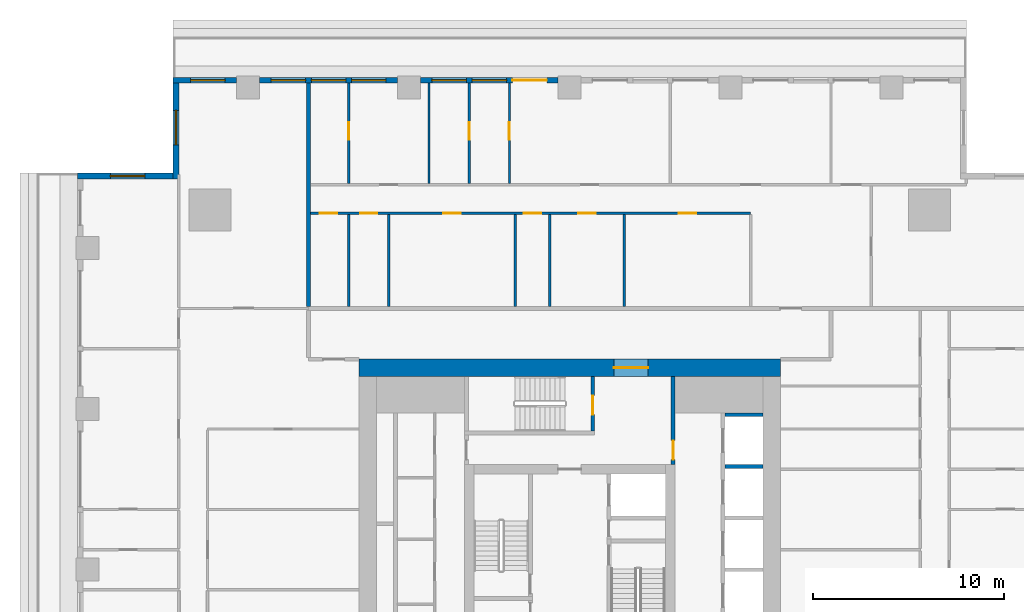
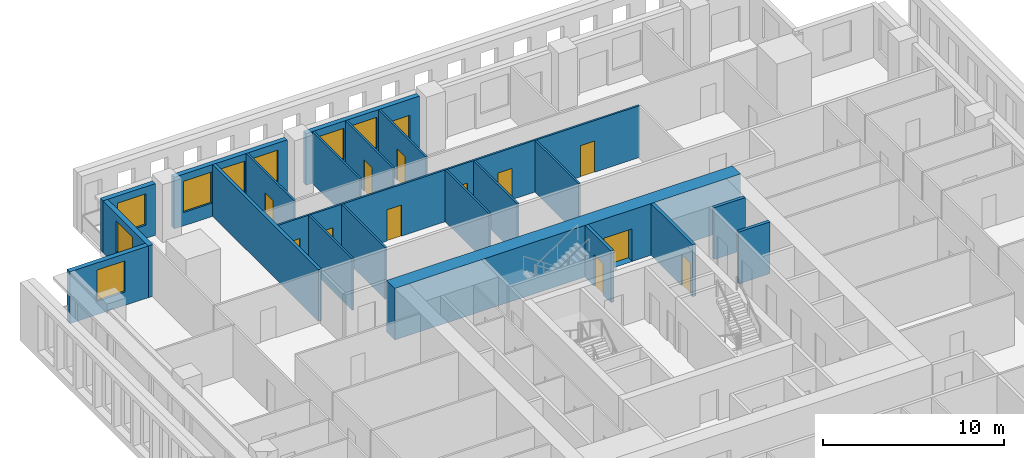
# One storey, part 7 of 14: 21 walls, 13 doors, 8 windows, 21 openings.
"""IFC4 building model written with IfcOpenShell, lengths in metres."""

import ifcopenshell
import ifcopenshell.guid

model = None  # the IFC model being written
_history = None  # IfcOwnerHistory: only IFC2X3 demands one
_inside = {}  # id of a spatial element -> (the spatial element, [elements in it])
_under = {}  # id of a project, library or spatial element -> (it, [spatial elements below it])
_declared = {}  # id of a project -> (the project, [libraries it declares])
_typed = {}  # id of a type object -> (the type object, [elements of that type])
_made_of = {}  # id of a material, layer set ... -> (it, [elements and type objects made of it])


def new_model(schema):
    """Start an empty IFC model of exactly this schema.

    Asked for "IFC4X3", IfcOpenShell would pick the latest addendum, in which some entities
    have other attributes; the version numbers below select the first issue.
    IFC2X3 requires an IfcOwnerHistory on every rooted entity: one is made here for all.
    """
    global model, _history
    if schema == "IFC4X3":
        model = ifcopenshell.file(schema_version=(4, 3, 0, 0))
    else:
        model = ifcopenshell.file(schema=schema)
    _inside.clear()
    _under.clear()
    _declared.clear()
    _typed.clear()
    _made_of.clear()
    _history = None
    if model.schema == "IFC2X3":
        org = make("IfcOrganization", Name="unknown")
        user = make(
            "IfcPersonAndOrganization",
            ThePerson=make("IfcPerson", FamilyName="unknown"),
            TheOrganization=org,
        )
        app = make(
            "IfcApplication",
            ApplicationDeveloper=org,
            Version="unknown",
            ApplicationFullName="unknown",
            ApplicationIdentifier="unknown",
        )
        _history = make(
            "IfcOwnerHistory",
            OwningUser=user,
            OwningApplication=app,
            ChangeAction="ADDED",
            CreationDate=0,
        )
    return model


def make(cls, **values):
    """One entity of the class cls with the attributes given. An attribute that is None is left unset."""
    return model.create_entity(
        cls, **{name: value for name, value in values.items() if value is not None}
    )


def rooted(cls, **values):
    """An entity with a GlobalId (a new one), such as an element, a storey or a relation."""
    return make(cls, GlobalId=ifcopenshell.guid.new(), OwnerHistory=_history, **values)


def si_unit(unit_type, name, prefix=None):
    """IfcSIUnit, for example si_unit("LENGTHUNIT", "METRE", prefix="MILLI")."""
    return make("IfcSIUnit", UnitType=unit_type, Prefix=prefix, Name=name)


def assignment(units):
    """IfcUnitAssignment: the units of a project."""
    return None if units is None else make("IfcUnitAssignment", Units=units)


def point(xyz):
    """IfcCartesianPoint."""
    return None if xyz is None else make("IfcCartesianPoint", Coordinates=xyz)


def direction(xyz):
    """IfcDirection."""
    return None if xyz is None else make("IfcDirection", DirectionRatios=xyz)


def frame(location, z_axis=None, x_axis=None):
    """IfcAxis2Placement3D, a coordinate frame: its origin and axes. An axis left out is left unset."""
    return make(
        "IfcAxis2Placement3D",
        Location=point(location),
        Axis=direction(z_axis),
        RefDirection=direction(x_axis),
    )


def frame_2d(location, x_axis=None):
    """IfcAxis2Placement2D, a coordinate frame in the plane: its origin and x axis."""
    return make(
        "IfcAxis2Placement2D", Location=point(location), RefDirection=direction(x_axis)
    )


def origin():
    """The frame at (0, 0, 0) with its axes left unset."""
    return frame((0.0, 0.0, 0.0))


def place(relative_to, where):
    """IfcLocalPlacement: puts the frame where relative to a parent placement (None: the world)."""
    return make(
        "IfcLocalPlacement", PlacementRelTo=relative_to, RelativePlacement=where
    )


def context(
    kind, dimensions, precision=None, world=None, true_north=None, identifier=None
):
    """IfcGeometricRepresentationContext, for example the 3D "Model" context."""
    return make(
        "IfcGeometricRepresentationContext",
        ContextIdentifier=identifier,
        ContextType=kind,
        CoordinateSpaceDimension=dimensions,
        Precision=precision,
        WorldCoordinateSystem=world,
        TrueNorth=true_north,
    )


def subcontext(parent, identifier, kind, view, scale=None):
    """IfcGeometricRepresentationSubContext, for example "Body" below "Model"."""
    return make(
        "IfcGeometricRepresentationSubContext",
        ContextIdentifier=identifier,
        ContextType=kind,
        ParentContext=parent,
        TargetScale=scale,
        TargetView=view,
    )


def project(units=None, contexts=None):
    """IfcProject with its units and contexts."""
    return rooted(
        "IfcProject",
        Name="project",
        RepresentationContexts=contexts,
        UnitsInContext=assignment(units),
    )


def spatial(cls, under=None, at=None, **own):
    """A site, building, storey or space (cls), placed at a placement, below another one or the project."""
    s = rooted(cls, ObjectPlacement=at, **own)
    if under is not None:
        _under.setdefault(under.id(), (under, []))[1].append(s)
    return s


def profile(cls, at=None, kind="AREA", **sizes):
    """A parametric profile (cls). Its sizes go by their IFC names, for example OverallWidth=200.0."""
    return make(cls, ProfileType=kind, Position=at, **sizes)


def rectangle(**sizes):
    """IfcRectangleProfileDef."""
    return profile("IfcRectangleProfileDef", **sizes)


def extrude(swept, where, along, depth):
    """IfcExtrudedAreaSolid: the profile swept, set in the frame where, extruded along a direction by depth."""
    return make(
        "IfcExtrudedAreaSolid",
        SweptArea=swept,
        Position=where,
        ExtrudedDirection=direction(along),
        Depth=depth,
    )


def shape(context_of_items, identifier, shape_type, items):
    """IfcShapeRepresentation: the items that make up one representation, for example the "Body"."""
    return make(
        "IfcShapeRepresentation",
        ContextOfItems=context_of_items,
        RepresentationIdentifier=identifier,
        RepresentationType=shape_type,
        Items=items,
    )


def material(Name=None, Category=None):
    """IfcMaterial."""
    return make("IfcMaterial", Name=Name, Category=Category)


def layer(
    of_material, thickness, ventilated=None, Name=None, Category=None, Priority=None
):
    """IfcMaterialLayer: one layer of a wall or slab, of a material (None: an air gap)."""
    return make(
        "IfcMaterialLayer",
        Material=of_material,
        LayerThickness=thickness,
        IsVentilated=ventilated,
        Name=Name,
        Category=Category,
        Priority=Priority,
    )


def layer_set(layers, Name=None):
    """IfcMaterialLayerSet."""
    return make("IfcMaterialLayerSet", MaterialLayers=layers, LayerSetName=Name)


def made_of(thing, what):
    """Note that an element or type object is made of a material, layer set ...; save() writes the relation."""
    if what is not None:
        _made_of.setdefault(what.id(), (what, []))[1].append(thing)
    return thing


def type_object(cls, material=None, **own):
    """A type object (cls), such as IfcWallType, which elements share."""
    return made_of(rooted(cls, **own), material)


def element(
    cls,
    number,
    at=None,
    inside=None,
    cuts=None,
    type_object=None,
    material=None,
    context=None,
    identifier="Body",
    shape_type=None,
    held_by="IfcProductDefinitionShape",
    body=None,
    shapes=None,
    **own,
):
    """One element of the class cls, such as IfcWall. Its Tag is "e" and its number.

    at: its placement. inside: the storey or other place that contains it. cuts: it is an
    opening in that element (IfcRelVoidsElement). A single representation is given by context,
    identifier, shape_type and body (its items); several are given by shapes. held_by: the class
    of the entity that holds the representations. save() writes the other relations.
    """
    e = rooted(cls, Tag="e%d" % number, ObjectPlacement=at, **own)
    if body is not None:
        shapes = [shape(context, identifier, shape_type, body)]
    if shapes is not None:
        e.Representation = make(held_by, Representations=shapes)
    if inside is not None:
        _inside.setdefault(inside.id(), (inside, []))[1].append(e)
    if cuts is not None:
        rooted(
            "IfcRelVoidsElement", RelatingBuildingElement=cuts, RelatedOpeningElement=e
        )
    if type_object is not None:
        _typed.setdefault(type_object.id(), (type_object, []))[1].append(e)
    return made_of(e, material)


def fill(opening, filler):
    """IfcRelFillsElement: the door or window that sits in an opening."""
    return rooted(
        "IfcRelFillsElement",
        RelatingOpeningElement=opening,
        RelatedBuildingElement=filler,
    )


def aggregate(whole, parts):
    """IfcRelAggregates: a whole, such as a stair, and the parts it consists of."""
    return rooted("IfcRelAggregates", RelatingObject=whole, RelatedObjects=parts)


def save(model, path):
    """Write the relations noted so far, then the file.

    IfcRelAggregates (storeys below a building ...), IfcRelContainedInSpatialStructure (elements
    in a storey), IfcRelDefinesByType, IfcRelAssociatesMaterial and IfcRelDeclares: one each for
    every whole, place, type object, material and project.
    """
    for whole, parts in _under.values():
        aggregate(whole, parts)
    for where, things in _inside.values():
        rooted(
            "IfcRelContainedInSpatialStructure",
            RelatedElements=things,
            RelatingStructure=where,
        )
    for kind, things in _typed.values():
        rooted("IfcRelDefinesByType", RelatedObjects=things, RelatingType=kind)
    for what, things in _made_of.values():
        rooted("IfcRelAssociatesMaterial", RelatedObjects=things, RelatingMaterial=what)
    for by, libraries in _declared.values():
        rooted("IfcRelDeclares", RelatingContext=by, RelatedDefinitions=libraries)
    model.write(path)


model = new_model("IFC4")

# Units and contexts
model_context = context("Model", 3, precision=1e-05, world=origin(), true_north=direction((0.0, 1.0)))
body_context = subcontext(model_context, "Body", "Model", "MODEL_VIEW")
ifc_project = project(units=[si_unit("LENGTHUNIT", "METRE"), si_unit("AREAUNIT", "SQUARE_METRE"), si_unit("VOLUMEUNIT", "CUBIC_METRE"), si_unit("PLANEANGLEUNIT", "RADIAN"), si_unit("MASSUNIT", "GRAM", prefix="KILO")], contexts=[model_context])

# Site, building, storey
site_placement = place(None, origin())
site = spatial("IfcSite", under=ifc_project, at=site_placement, CompositionType="ELEMENT")
building_placement = place(site_placement, origin())
building = spatial("IfcBuilding", under=site, at=building_placement, Name="Khepri Terraces", CompositionType="ELEMENT")
storey_placement = place(building_placement, frame((0.0, 0.0, 264.0)))
storey = spatial("IfcBuildingStorey", under=building, at=storey_placement, Name="L63", CompositionType="ELEMENT", Elevation=264.0)

# Wall, opening, door
ifc_material_1 = material(Name="Concrete C40/50", Category="concrete")
ifc_layer_1 = layer(ifc_material_1, 0.199951171875, Name="Concrete C40/50", Category="concrete")
ifc_layer_set_1 = layer_set([ifc_layer_1], Name="Concrete C40/50")
wall_type_1 = type_object("IfcWallType", Name="Core wall 200 C40/50", PredefinedType="SHEAR", material=ifc_layer_set_1)
wall_1_placement = place(storey_placement, frame((1.199951171875, 7.25, 0.0), z_axis=(0.0, 0.0, 1.0), x_axis=(0.0, 1.0, 0.0)))
wall_1 = element("IfcWall", 1, at=wall_1_placement, inside=storey, type_object=wall_type_1, Name="Core wall ST07 L63", PredefinedType="SHEAR", context=body_context, shape_type="SweptSolid", body=[
    extrude(rectangle(XDim=2.85009765625, YDim=0.199951171875, at=frame_2d((1.425048828125, 0.0))), origin(), (0.0, 0.0, 1.0), 3.47998046875),
])
opening_1_placement = place(wall_1_placement, frame((0.85009765625, 0.0, 0.0)))
opening_1 = element("IfcOpeningElement", 2, at=opening_1_placement, cuts=wall_1, Name="Opening L63-C15", PredefinedType="OPENING", context=body_context, shape_type="SweptSolid", body=[
    extrude(rectangle(XDim=1.0, YDim=2.10009765625, at=frame_2d((0.5, 1.050048828125))), frame((0.0, 0.10986328125, 0.0), z_axis=(0.0, -1.0, 0.0), x_axis=(1.0, 0.0, 0.0)), (0.0, 0.0, 1.0), 0.219970703125),
])
ifc_material_2 = material(Name="Painted steel", Category="steel")
door_type_1 = type_object("IfcDoorType", Name="DR-CORE-STAIR-1000", OperationType="NOTDEFINED", PredefinedType="DOOR", material=ifc_material_2)
door_1_placement = place(opening_1_placement, origin())
door_1 = element("IfcDoor", 3, at=door_1_placement, inside=storey, type_object=door_type_1, Name="Stair door L63-C15", OperationType="SINGLE_SWING_LEFT", OverallHeight=2.10009765625, OverallWidth=1.0, PredefinedType="DOOR", context=body_context, shape_type="SweptSolid", body=[
    extrude(rectangle(XDim=1.0, YDim=2.10009765625, at=frame_2d((0.5, 1.050048828125))), frame((0.0, 0.02490234375, 0.0), z_axis=(0.0, -1.0, 0.0), x_axis=(1.0, 0.0, 0.0)), (0.0, 0.0, 1.0), 0.050048828125),
])
fill(opening_1, door_1)

# Walls
for number, where, z_axis, x_axis, name in (
    (4, (8.10009765625, 5.39990234375, 0.0), (0.0, 0.0, 1.0), (1.0, 0.0, 0.0), "Core wall SH14 L63"),
    (5, (8.10009765625, 8.10009765625, 0.0), (0.0, 0.0, 1.0), (1.0, 0.0, 0.0), "Core wall SH15 L63"),
):
    element("IfcWall", number, at=place(storey_placement, frame(where, z_axis=z_axis, x_axis=x_axis)), inside=storey, type_object=wall_type_1, Name=name, PredefinedType="SHEAR", context=body_context, shape_type="SweptSolid", body=[
        extrude(rectangle(XDim=2.0, YDim=0.199951171875, at=frame_2d((1.0, 0.0))), origin(), (0.0, 0.0, 1.0), 3.47998046875),
    ])

# Wall, opening, door
ifc_layer_2 = layer(ifc_material_1, 0.89990234375, Name="Concrete C40/50", Category="concrete")
ifc_layer_set_2 = layer_set([ifc_layer_2], Name="Concrete C40/50")
wall_type_2 = type_object("IfcWallType", Name="Core wall 900 C40/50", PredefinedType="SHEAR", material=ifc_layer_set_2)
wall_2_placement = place(storey_placement, frame((-11.0, 10.550048828125, 0.0), z_axis=(0.0, 0.0, 1.0), x_axis=(1.0, 0.0, 0.0)))
wall_2 = element("IfcWall", 6, at=wall_2_placement, inside=storey, type_object=wall_type_2, Name="Core wall OW-N L63", PredefinedType="SHEAR", context=body_context, shape_type="SweptSolid", body=[
    extrude(rectangle(XDim=22.0, YDim=0.89990234375, at=frame_2d((11.0, 0.0))), origin(), (0.0, 0.0, 1.0), 3.47998046875),
])
opening_2_placement = place(wall_2_placement, frame((13.300048828125, 0.0, 0.0)))
opening_2 = element("IfcOpeningElement", 7, at=opening_2_placement, cuts=wall_2, Name="Opening L63-C20", PredefinedType="OPENING", context=body_context, shape_type="SweptSolid", body=[
    extrude(rectangle(XDim=1.800048828125, YDim=2.199951171875, at=frame_2d((0.89990234375, 1.10009765625))), frame((0.0, 0.4599609375, 0.0), z_axis=(0.0, -1.0, 0.0), x_axis=(1.0, 0.0, 0.0)), (0.0, 0.0, 1.0), 0.919921875),
])
door_type_2 = type_object("IfcDoorType", Name="DR-CORE-ENTRANCE-1800", OperationType="NOTDEFINED", PredefinedType="DOOR", material=ifc_material_2)
door_2_placement = place(opening_2_placement, origin())
door_2 = element("IfcDoor", 8, at=door_2_placement, inside=storey, type_object=door_type_2, Name="Core entrance door pair L63-C20", OperationType="DOUBLE_DOOR_SINGLE_SWING", OverallHeight=2.199951171875, OverallWidth=1.800048828125, PredefinedType="DOOR", context=body_context, shape_type="SweptSolid", body=[
    extrude(rectangle(XDim=1.800048828125, YDim=2.199951171875, at=frame_2d((0.89990234375, 1.10009765625))), frame((0.0, 0.02490234375, 0.0), z_axis=(0.0, -1.0, 0.0), x_axis=(1.0, 0.0, 0.0)), (0.0, 0.0, 1.0), 0.050048828125),
])
fill(opening_2, door_2)

ifc_material_3 = material(Name="Fire-rated gypsum board partition")
ifc_layer_3 = layer(ifc_material_3, 0.199951171875, Name="Fire-rated gypsum board partition")
ifc_layer_set_3 = layer_set([ifc_layer_3], Name="Fire-rated gypsum board partition")
wall_type_3 = type_object("IfcWallType", Name="WL-CORE-PART-200", PredefinedType="PARTITIONING", material=ifc_layer_set_3)
wall_3_placement = place(storey_placement, frame((5.39990234375, 5.5, 0.0), z_axis=(0.0, 0.0, 1.0), x_axis=(0.0, 1.0, 0.0)))
wall_3 = element("IfcWall", 9, at=wall_3_placement, inside=storey, type_object=wall_type_3, Name="Core partition PT13 L63", PredefinedType="PARTITIONING", context=body_context, shape_type="SweptSolid", body=[
    extrude(rectangle(XDim=4.60009765625, YDim=0.199951171875, at=frame_2d((2.300048828125, 0.0))), origin(), (0.0, 0.0, 1.0), 3.47998046875),
])
opening_3_placement = place(wall_3_placement, frame((0.25, 0.0, 0.0)))
opening_3 = element("IfcOpeningElement", 10, at=opening_3_placement, cuts=wall_3, Name="Opening L63-C17", PredefinedType="OPENING", context=body_context, shape_type="SweptSolid", body=[
    extrude(rectangle(XDim=1.0, YDim=2.10009765625, at=frame_2d((0.5, 1.050048828125))), frame((0.0, 0.10986328125, 0.0), z_axis=(0.0, -1.0, 0.0), x_axis=(1.0, 0.0, 0.0)), (0.0, 0.0, 1.0), 0.219970703125),
])
door_type_3 = type_object("IfcDoorType", Name="DR-CORE-LOBBY-1000", OperationType="NOTDEFINED", PredefinedType="DOOR", material=ifc_material_2)
door_3_placement = place(opening_3_placement, origin())
door_3 = element("IfcDoor", 11, at=door_3_placement, inside=storey, type_object=door_type_3, Name="Lobby door L63-C17", OperationType="SINGLE_SWING_LEFT", OverallHeight=2.10009765625, OverallWidth=1.0, PredefinedType="DOOR", context=body_context, shape_type="SweptSolid", body=[
    extrude(rectangle(XDim=1.0, YDim=2.10009765625, at=frame_2d((0.5, 1.050048828125))), frame((0.0, 0.02490234375, 0.0), z_axis=(0.0, -1.0, 0.0), x_axis=(1.0, 0.0, 0.0)), (0.0, 0.0, 1.0), 0.050048828125),
])
fill(opening_3, door_3)

# Wall
ifc_material_4 = material(Name="Fire-rated gypsum plasterboard partition, mineral wool")
ifc_layer_4 = layer(ifc_material_4, 0.199951171875, Name="Fire-rated gypsum plasterboard partition, mineral wool")
ifc_layer_set_4 = layer_set([ifc_layer_4], Name="Fire-rated gypsum plasterboard partition, mineral wool")
wall_type_4 = type_object("IfcWallType", Name="WL-CORR-200", PredefinedType="PARTITIONING", material=ifc_layer_set_4)
wall_4_placement = place(storey_placement, frame((-13.64990234375, 13.75, 0.0), z_axis=(0.0, 0.0, 1.0), x_axis=(0.0, 1.0, 0.0)))
element("IfcWall", 12, at=wall_4_placement, inside=storey, type_object=wall_type_4, Name="Partition P-083 L63", PredefinedType="PARTITIONING", context=body_context, shape_type="SweptSolid", body=[
    extrude(rectangle(XDim=11.669921875, YDim=0.199951171875, at=frame_2d((5.8349609375, 0.0))), origin(), (0.0, 0.0, 1.0), 3.47998046875),
])

# Wall, openings, door, windows
ifc_material_5 = material(Name="Precast concrete C50/60 warm stone", Category="masonry")
ifc_layer_5 = layer(ifc_material_5, 0.300048828125, Name="Precast concrete C50/60 warm stone", Category="masonry")
ifc_layer_set_5 = layer_set([ifc_layer_5], Name="Precast concrete C50/60 warm stone")
wall_type_5 = type_object("IfcWallType", Name="WL-EXT-PRECAST-300", PredefinedType="STANDARD", material=ifc_layer_set_5)
wall_5_placement = place(storey_placement, frame((-0.60009765625, 25.570068359375, 0.0), z_axis=(0.0, 0.0, 1.0), x_axis=(-1.0, 0.0, 0.0)))
wall_5 = element("IfcWall", 13, at=wall_5_placement, inside=storey, type_object=wall_type_5, Name="External wall L63 N", PredefinedType="STANDARD", context=body_context, shape_type="SweptSolid", body=[
    extrude(rectangle(XDim=7.199951171875, YDim=0.300048828125, at=frame_2d((3.60009765625, 0.0))), origin(), (0.0, 0.0, 1.0), 3.47998046875),
])
opening_4_placement = place(wall_5_placement, frame((0.60009765625, 0.0, 0.0)))
opening_4 = element("IfcOpeningElement", 14, at=opening_4_placement, cuts=wall_5, Name="Opening ED-L63-10", PredefinedType="OPENING", context=body_context, shape_type="SweptSolid", body=[
    extrude(rectangle(XDim=1.800048828125, YDim=2.39990234375, at=frame_2d((0.89990234375, 1.199951171875))), frame((0.0, 0.16015625, 0.0), z_axis=(0.0, -1.0, 0.0), x_axis=(1.0, 0.0, 0.0)), (0.0, 0.0, 1.0), 0.320068359375),
])
opening_5_placement = place(wall_5_placement, frame((2.699951171875, 0.0, 0.89990234375)))
opening_5 = element("IfcOpeningElement", 15, at=opening_5_placement, cuts=wall_5, Name="Opening W1", PredefinedType="OPENING", context=body_context, shape_type="SweptSolid", body=[
    extrude(rectangle(XDim=1.800048828125, YDim=2.10009765625, at=frame_2d((0.89990234375, 1.050048828125))), frame((0.0, 0.16015625, 0.0), z_axis=(0.0, -1.0, 0.0), x_axis=(1.0, 0.0, 0.0)), (0.0, 0.0, 1.0), 0.320068359375),
])
opening_6_placement = place(wall_5_placement, frame((4.800048828125, 0.0, 0.89990234375)))
opening_6 = element("IfcOpeningElement", 16, at=opening_6_placement, cuts=wall_5, Name="Opening W1", PredefinedType="OPENING", context=body_context, shape_type="SweptSolid", body=[
    extrude(rectangle(XDim=1.800048828125, YDim=2.10009765625, at=frame_2d((0.89990234375, 1.050048828125))), frame((0.0, 0.16015625, 0.0), z_axis=(0.0, -1.0, 0.0), x_axis=(1.0, 0.0, 0.0)), (0.0, 0.0, 1.0), 0.320068359375),
])
ifc_material_6 = material(Name="Anodised aluminium bronze glazed door", Category="aluminium")
door_type_4 = type_object("IfcDoorType", Name="DR-BAL-SLIDE-1800x2400", OperationType="NOTDEFINED", PredefinedType="DOOR", material=ifc_material_6)
door_4_placement = place(opening_4_placement, origin())
door_4 = element("IfcDoor", 17, at=door_4_placement, inside=storey, type_object=door_type_4, Name="Balcony door L63 N", OperationType="SLIDING_TO_LEFT", OverallHeight=2.39990234375, OverallWidth=1.800048828125, PredefinedType="DOOR", context=body_context, shape_type="SweptSolid", body=[
    extrude(rectangle(XDim=1.800048828125, YDim=2.39990234375, at=frame_2d((0.89990234375, 1.199951171875))), frame((0.0, 0.02490234375, 0.0), z_axis=(0.0, -1.0, 0.0), x_axis=(1.0, 0.0, 0.0)), (0.0, 0.0, 1.0), 0.050048828125),
])
fill(opening_4, door_4)
ifc_material_7 = material(Name="Clear glass", Category="glass")
window_type = type_object("IfcWindowType", Name="WIN-RES-1800x2100", PartitioningType="SINGLE_PANEL", PredefinedType="WINDOW", material=ifc_material_7)
window_1_placement = place(opening_5_placement, origin())
window_1 = element("IfcWindow", 18, at=window_1_placement, inside=storey, type_object=window_type, Name="Window L63 N", OverallHeight=2.10009765625, OverallWidth=1.800048828125, PartitioningType="SINGLE_PANEL", PredefinedType="WINDOW", context=body_context, shape_type="SweptSolid", body=[
    extrude(rectangle(XDim=1.800048828125, YDim=2.10009765625, at=frame_2d((0.89990234375, 1.050048828125))), frame((0.0, 0.030029296875, 0.0), z_axis=(0.0, -1.0, 0.0), x_axis=(1.0, 0.0, 0.0)), (0.0, 0.0, 1.0), 0.06005859375),
])
fill(opening_5, window_1)
window_2_placement = place(opening_6_placement, origin())
window_2 = element("IfcWindow", 19, at=window_2_placement, inside=storey, type_object=window_type, Name="Window L63 N", OverallHeight=2.10009765625, OverallWidth=1.800048828125, PartitioningType="SINGLE_PANEL", PredefinedType="WINDOW", context=body_context, shape_type="SweptSolid", body=[
    extrude(rectangle(XDim=1.800048828125, YDim=2.10009765625, at=frame_2d((0.89990234375, 1.050048828125))), frame((0.0, 0.030029296875, 0.0), z_axis=(0.0, -1.0, 0.0), x_axis=(1.0, 0.0, 0.0)), (0.0, 0.0, 1.0), 0.06005859375),
])
fill(opening_6, window_2)

# Wall, openings, windows
wall_6_placement = place(storey_placement, frame((-9.0, 25.570068359375, 0.0), z_axis=(0.0, 0.0, 1.0), x_axis=(-1.0, 0.0, 0.0)))
wall_6 = element("IfcWall", 20, at=wall_6_placement, inside=storey, type_object=wall_type_5, Name="External wall L63 N", PredefinedType="STANDARD", context=body_context, shape_type="SweptSolid", body=[
    extrude(rectangle(XDim=7.199951171875, YDim=0.300048828125, at=frame_2d((3.60009765625, 0.0))), origin(), (0.0, 0.0, 1.0), 3.47998046875),
])
opening_7_placement = place(wall_6_placement, frame((0.60009765625, 0.0, 0.89990234375)))
opening_7 = element("IfcOpeningElement", 21, at=opening_7_placement, cuts=wall_6, Name="Opening W1", PredefinedType="OPENING", context=body_context, shape_type="SweptSolid", body=[
    extrude(rectangle(XDim=1.800048828125, YDim=2.10009765625, at=frame_2d((0.89990234375, 1.050048828125))), frame((0.0, 0.16015625, 0.0), z_axis=(0.0, -1.0, 0.0), x_axis=(1.0, 0.0, 0.0)), (0.0, 0.0, 1.0), 0.320068359375),
])
opening_8_placement = place(wall_6_placement, frame((2.699951171875, 0.0, 0.89990234375)))
opening_8 = element("IfcOpeningElement", 22, at=opening_8_placement, cuts=wall_6, Name="Opening W1", PredefinedType="OPENING", context=body_context, shape_type="SweptSolid", body=[
    extrude(rectangle(XDim=1.800048828125, YDim=2.10009765625, at=frame_2d((0.89990234375, 1.050048828125))), frame((0.0, 0.16015625, 0.0), z_axis=(0.0, -1.0, 0.0), x_axis=(1.0, 0.0, 0.0)), (0.0, 0.0, 1.0), 0.320068359375),
])
opening_9_placement = place(wall_6_placement, frame((4.800048828125, 0.0, 0.89990234375)))
opening_9 = element("IfcOpeningElement", 23, at=opening_9_placement, cuts=wall_6, Name="Opening W1", PredefinedType="OPENING", context=body_context, shape_type="SweptSolid", body=[
    extrude(rectangle(XDim=1.800048828125, YDim=2.10009765625, at=frame_2d((0.89990234375, 1.050048828125))), frame((0.0, 0.16015625, 0.0), z_axis=(0.0, -1.0, 0.0), x_axis=(1.0, 0.0, 0.0)), (0.0, 0.0, 1.0), 0.320068359375),
])
window_3_placement = place(opening_7_placement, origin())
window_3 = element("IfcWindow", 24, at=window_3_placement, inside=storey, type_object=window_type, Name="Window L63 N", OverallHeight=2.10009765625, OverallWidth=1.800048828125, PartitioningType="SINGLE_PANEL", PredefinedType="WINDOW", context=body_context, shape_type="SweptSolid", body=[
    extrude(rectangle(XDim=1.800048828125, YDim=2.10009765625, at=frame_2d((0.89990234375, 1.050048828125))), frame((0.0, 0.030029296875, 0.0), z_axis=(0.0, -1.0, 0.0), x_axis=(1.0, 0.0, 0.0)), (0.0, 0.0, 1.0), 0.06005859375),
])
fill(opening_7, window_3)
window_4_placement = place(opening_8_placement, origin())
window_4 = element("IfcWindow", 25, at=window_4_placement, inside=storey, type_object=window_type, Name="Window L63 N", OverallHeight=2.10009765625, OverallWidth=1.800048828125, PartitioningType="SINGLE_PANEL", PredefinedType="WINDOW", context=body_context, shape_type="SweptSolid", body=[
    extrude(rectangle(XDim=1.800048828125, YDim=2.10009765625, at=frame_2d((0.89990234375, 1.050048828125))), frame((0.0, 0.030029296875, 0.0), z_axis=(0.0, -1.0, 0.0), x_axis=(1.0, 0.0, 0.0)), (0.0, 0.0, 1.0), 0.06005859375),
])
fill(opening_8, window_4)
window_5_placement = place(opening_9_placement, origin())
window_5 = element("IfcWindow", 26, at=window_5_placement, inside=storey, type_object=window_type, Name="Window L63 N", OverallHeight=2.10009765625, OverallWidth=1.800048828125, PartitioningType="SINGLE_PANEL", PredefinedType="WINDOW", context=body_context, shape_type="SweptSolid", body=[
    extrude(rectangle(XDim=1.800048828125, YDim=2.10009765625, at=frame_2d((0.89990234375, 1.050048828125))), frame((0.0, 0.030029296875, 0.0), z_axis=(0.0, -1.0, 0.0), x_axis=(1.0, 0.0, 0.0)), (0.0, 0.0, 1.0), 0.06005859375),
])
fill(opening_9, window_5)

# Wall, opening, window
wall_7_placement = place(storey_placement, frame((-17.39990234375, 25.570068359375, 0.0), z_axis=(0.0, 0.0, 1.0), x_axis=(-1.0, 0.0, 0.0)))
wall_7 = element("IfcWall", 27, at=wall_7_placement, inside=storey, type_object=wall_type_5, Name="External wall L63 N", PredefinedType="STANDARD", context=body_context, shape_type="SweptSolid", body=[
    extrude(rectangle(XDim=3.320068359375, YDim=0.300048828125, at=frame_2d((1.66015625, 0.0))), origin(), (0.0, 0.0, 1.0), 3.47998046875),
])
opening_10_placement = place(wall_7_placement, frame((0.60009765625, 0.0, 0.89990234375)))
opening_10 = element("IfcOpeningElement", 28, at=opening_10_placement, cuts=wall_7, Name="Opening W1", PredefinedType="OPENING", context=body_context, shape_type="SweptSolid", body=[
    extrude(rectangle(XDim=1.800048828125, YDim=2.10009765625, at=frame_2d((0.89990234375, 1.050048828125))), frame((0.0, 0.16015625, 0.0), z_axis=(0.0, -1.0, 0.0), x_axis=(1.0, 0.0, 0.0)), (0.0, 0.0, 1.0), 0.320068359375),
])
window_6_placement = place(opening_10_placement, origin())
window_6 = element("IfcWindow", 29, at=window_6_placement, inside=storey, type_object=window_type, Name="Window L63 N", OverallHeight=2.10009765625, OverallWidth=1.800048828125, PartitioningType="SINGLE_PANEL", PredefinedType="WINDOW", context=body_context, shape_type="SweptSolid", body=[
    extrude(rectangle(XDim=1.800048828125, YDim=2.10009765625, at=frame_2d((0.89990234375, 1.050048828125))), frame((0.0, 0.030029296875, 0.0), z_axis=(0.0, -1.0, 0.0), x_axis=(1.0, 0.0, 0.0)), (0.0, 0.0, 1.0), 0.06005859375),
])
fill(opening_10, window_6)

wall_8_placement = place(storey_placement, frame((-20.570068359375, 25.419921875, 0.0), z_axis=(0.0, 0.0, 1.0), x_axis=(0.0, -1.0, 0.0)))
wall_8 = element("IfcWall", 30, at=wall_8_placement, inside=storey, type_object=wall_type_5, Name="External wall L63 W", PredefinedType="STANDARD", context=body_context, shape_type="SweptSolid", body=[
    extrude(rectangle(XDim=5.0, YDim=0.300048828125, at=frame_2d((2.5, 0.0))), origin(), (0.0, 0.0, 1.0), 3.47998046875),
])
opening_11_placement = place(wall_8_placement, frame((1.419921875, 0.0, 0.89990234375)))
opening_11 = element("IfcOpeningElement", 31, at=opening_11_placement, cuts=wall_8, Name="Opening W1", PredefinedType="OPENING", context=body_context, shape_type="SweptSolid", body=[
    extrude(rectangle(XDim=1.800048828125, YDim=2.10009765625, at=frame_2d((0.89990234375, 1.050048828125))), frame((0.0, 0.16015625, 0.0), z_axis=(0.0, -1.0, 0.0), x_axis=(1.0, 0.0, 0.0)), (0.0, 0.0, 1.0), 0.320068359375),
])
window_7_placement = place(opening_11_placement, origin())
window_7 = element("IfcWindow", 32, at=window_7_placement, inside=storey, type_object=window_type, Name="Window L63 W", OverallHeight=2.10009765625, OverallWidth=1.800048828125, PartitioningType="SINGLE_PANEL", PredefinedType="WINDOW", context=body_context, shape_type="SweptSolid", body=[
    extrude(rectangle(XDim=1.800048828125, YDim=2.10009765625, at=frame_2d((0.89990234375, 1.050048828125))), frame((0.0, 0.030029296875, 0.0), z_axis=(0.0, -1.0, 0.0), x_axis=(1.0, 0.0, 0.0)), (0.0, 0.0, 1.0), 0.06005859375),
])
fill(opening_11, window_7)

wall_9_placement = place(storey_placement, frame((-20.719970703125, 20.570068359375, 0.0), z_axis=(0.0, 0.0, 1.0), x_axis=(-1.0, 0.0, 0.0)))
wall_9 = element("IfcWall", 33, at=wall_9_placement, inside=storey, type_object=wall_type_5, Name="External wall L63 N", PredefinedType="STANDARD", context=body_context, shape_type="SweptSolid", body=[
    extrude(rectangle(XDim=5.0, YDim=0.300048828125, at=frame_2d((2.5, 0.0))), origin(), (0.0, 0.0, 1.0), 3.47998046875),
])
opening_12_placement = place(wall_9_placement, frame((1.47998046875, 0.0, 0.89990234375)))
opening_12 = element("IfcOpeningElement", 34, at=opening_12_placement, cuts=wall_9, Name="Opening W1", PredefinedType="OPENING", context=body_context, shape_type="SweptSolid", body=[
    extrude(rectangle(XDim=1.800048828125, YDim=2.10009765625, at=frame_2d((0.89990234375, 1.050048828125))), frame((0.0, 0.16015625, 0.0), z_axis=(0.0, -1.0, 0.0), x_axis=(1.0, 0.0, 0.0)), (0.0, 0.0, 1.0), 0.320068359375),
])
window_8_placement = place(opening_12_placement, origin())
window_8 = element("IfcWindow", 35, at=window_8_placement, inside=storey, type_object=window_type, Name="Window L63 N", OverallHeight=2.10009765625, OverallWidth=1.800048828125, PartitioningType="SINGLE_PANEL", PredefinedType="WINDOW", context=body_context, shape_type="SweptSolid", body=[
    extrude(rectangle(XDim=1.800048828125, YDim=2.10009765625, at=frame_2d((0.89990234375, 1.050048828125))), frame((0.0, 0.030029296875, 0.0), z_axis=(0.0, -1.0, 0.0), x_axis=(1.0, 0.0, 0.0)), (0.0, 0.0, 1.0), 0.06005859375),
])
fill(opening_12, window_8)

# Walls
ifc_material_8 = material(Name="Gypsum plasterboard partition")
ifc_layer_6 = layer(ifc_material_8, 0.1201171875, Name="Gypsum plasterboard partition")
ifc_layer_set_6 = layer_set([ifc_layer_6], Name="Gypsum plasterboard partition")
wall_type_6 = type_object("IfcWallType", Name="WL-PART-120", PredefinedType="PARTITIONING", material=ifc_layer_set_6)
for number, where, z_axis, x_axis, name in (
    (36, (-11.550048828125, 13.75, 0.0), (0.0, 0.0, 1.0), (0.0, 1.0, 0.0), "Partition P-084 L63"),
    (37, (-9.449951171875, 13.75, 0.0), (0.0, 0.0, 1.0), (0.0, 1.0, 0.0), "Partition P-085 L63"),
    (38, (-2.85009765625, 13.75, 0.0), (0.0, 0.0, 1.0), (0.0, 1.0, 0.0), "Partition P-086 L63"),
    (39, (-1.050048828125, 13.75, 0.0), (0.0, 0.0, 1.0), (0.0, 1.0, 0.0), "Partition P-087 L63"),
    (40, (2.85009765625, 13.75, 0.0), (0.0, 0.0, 1.0), (0.0, 1.0, 0.0), "Partition P-088 L63"),
):
    element("IfcWall", number, at=place(storey_placement, frame(where, z_axis=z_axis, x_axis=x_axis)), inside=storey, type_object=wall_type_6, Name=name, PredefinedType="PARTITIONING", context=body_context, shape_type="SweptSolid", body=[
        extrude(rectangle(XDim=4.81005859375, YDim=0.1201171875, at=frame_2d((2.405029296875, 0.0))), origin(), (0.0, 0.0, 1.0), 3.47998046875),
    ])

# Wall, openings, doors
wall_10_placement = place(storey_placement, frame((-13.550048828125, 18.6201171875, 0.0), z_axis=(0.0, 0.0, 1.0), x_axis=(1.0, 0.0, 0.0)))
wall_10 = element("IfcWall", 41, at=wall_10_placement, inside=storey, type_object=wall_type_6, Name="Partition P-091 L63", PredefinedType="PARTITIONING", context=body_context, shape_type="SweptSolid", body=[
    extrude(rectangle(XDim=23.0, YDim=0.1201171875, at=frame_2d((11.5, 0.0))), origin(), (0.0, 0.0, 1.0), 3.47998046875),
])
opening_13_placement = place(wall_10_placement, frame((19.25, 0.0, 0.0)))
opening_13 = element("IfcOpeningElement", 42, at=opening_13_placement, cuts=wall_10, Name="Opening D3", PredefinedType="OPENING", context=body_context, shape_type="SweptSolid", body=[
    extrude(rectangle(XDim=0.89990234375, YDim=2.10009765625, at=frame_2d((0.449951171875, 1.050048828125))), frame((0.0, 0.070068359375, 0.0), z_axis=(0.0, -1.0, 0.0), x_axis=(1.0, 0.0, 0.0)), (0.0, 0.0, 1.0), 0.14013671875),
])
opening_14_placement = place(wall_10_placement, frame((14.0, 0.0, 0.0)))
opening_14 = element("IfcOpeningElement", 43, at=opening_14_placement, cuts=wall_10, Name="Opening D3", PredefinedType="OPENING", context=body_context, shape_type="SweptSolid", body=[
    extrude(rectangle(XDim=0.89990234375, YDim=2.10009765625, at=frame_2d((0.449951171875, 1.050048828125))), frame((0.0, 0.070068359375, 0.0), z_axis=(0.0, -1.0, 0.0), x_axis=(1.0, 0.0, 0.0)), (0.0, 0.0, 1.0), 0.14013671875),
])
opening_15_placement = place(wall_10_placement, frame((11.14990234375, 0.0, 0.0)))
opening_15 = element("IfcOpeningElement", 44, at=opening_15_placement, cuts=wall_10, Name="Opening D4", PredefinedType="OPENING", context=body_context, shape_type="SweptSolid", body=[
    extrude(rectangle(XDim=0.89990234375, YDim=2.10009765625, at=frame_2d((0.449951171875, 1.050048828125))), frame((0.0, 0.070068359375, 0.0), z_axis=(0.0, -1.0, 0.0), x_axis=(1.0, 0.0, 0.0)), (0.0, 0.0, 1.0), 0.14013671875),
])
opening_16_placement = place(wall_10_placement, frame((6.949951171875, 0.0, 0.0)))
opening_16 = element("IfcOpeningElement", 45, at=opening_16_placement, cuts=wall_10, Name="Opening D3", PredefinedType="OPENING", context=body_context, shape_type="SweptSolid", body=[
    extrude(rectangle(XDim=0.89990234375, YDim=2.10009765625, at=frame_2d((0.449951171875, 1.050048828125))), frame((0.0, 0.070068359375, 0.0), z_axis=(0.0, -1.0, 0.0), x_axis=(1.0, 0.0, 0.0)), (0.0, 0.0, 1.0), 0.14013671875),
])
opening_17_placement = place(wall_10_placement, frame((2.60009765625, 0.0, 0.0)))
opening_17 = element("IfcOpeningElement", 46, at=opening_17_placement, cuts=wall_10, Name="Opening D4", PredefinedType="OPENING", context=body_context, shape_type="SweptSolid", body=[
    extrude(rectangle(XDim=0.89990234375, YDim=2.10009765625, at=frame_2d((0.449951171875, 1.050048828125))), frame((0.0, 0.070068359375, 0.0), z_axis=(0.0, -1.0, 0.0), x_axis=(1.0, 0.0, 0.0)), (0.0, 0.0, 1.0), 0.14013671875),
])
opening_18_placement = place(wall_10_placement, frame((0.5, 0.0, 0.0)))
opening_18 = element("IfcOpeningElement", 47, at=opening_18_placement, cuts=wall_10, Name="Opening D3", PredefinedType="OPENING", context=body_context, shape_type="SweptSolid", body=[
    extrude(rectangle(XDim=0.89990234375, YDim=2.10009765625, at=frame_2d((0.449951171875, 1.050048828125))), frame((0.0, 0.070068359375, 0.0), z_axis=(0.0, -1.0, 0.0), x_axis=(1.0, 0.0, 0.0)), (0.0, 0.0, 1.0), 0.14013671875),
])
ifc_material_9 = material(Name="Timber door leaf", Category="wood")
door_type_5 = type_object("IfcDoorType", Name="DR-INT-900", OperationType="NOTDEFINED", PredefinedType="DOOR", material=ifc_material_9)
door_5_placement = place(opening_13_placement, frame((0.89990234375, 0.0, 0.0), z_axis=(0.0, 0.0, 1.0), x_axis=(-1.0, 0.0, 0.0)))
door_5 = element("IfcDoor", 48, at=door_5_placement, inside=storey, type_object=door_type_5, Name="Door Kitchen", OperationType="SINGLE_SWING_LEFT", OverallHeight=2.10009765625, OverallWidth=0.89990234375, PredefinedType="DOOR", context=body_context, shape_type="SweptSolid", body=[
    extrude(rectangle(XDim=0.89990234375, YDim=2.10009765625, at=frame_2d((0.449951171875, 1.050048828125))), frame((0.0, 0.02490234375, 0.0), z_axis=(0.0, -1.0, 0.0), x_axis=(1.0, 0.0, 0.0)), (0.0, 0.0, 1.0), 0.050048828125),
])
fill(opening_13, door_5)
door_6_placement = place(opening_14_placement, frame((0.89990234375, 0.0, 0.0), z_axis=(0.0, 0.0, 1.0), x_axis=(-1.0, 0.0, 0.0)))
door_6 = element("IfcDoor", 49, at=door_6_placement, inside=storey, type_object=door_type_5, Name="Door Utility Room", OperationType="SINGLE_SWING_LEFT", OverallHeight=2.10009765625, OverallWidth=0.89990234375, PredefinedType="DOOR", context=body_context, shape_type="SweptSolid", body=[
    extrude(rectangle(XDim=0.89990234375, YDim=2.10009765625, at=frame_2d((0.449951171875, 1.050048828125))), frame((0.0, 0.02490234375, 0.0), z_axis=(0.0, -1.0, 0.0), x_axis=(1.0, 0.0, 0.0)), (0.0, 0.0, 1.0), 0.050048828125),
])
fill(opening_14, door_6)
door_7_placement = place(opening_16_placement, frame((0.89990234375, 0.0, 0.0), z_axis=(0.0, 0.0, 1.0), x_axis=(-1.0, 0.0, 0.0)))
door_7 = element("IfcDoor", 50, at=door_7_placement, inside=storey, type_object=door_type_5, Name="Door Staff Bedroom", OperationType="SINGLE_SWING_RIGHT", OverallHeight=2.10009765625, OverallWidth=0.89990234375, PredefinedType="DOOR", context=body_context, shape_type="SweptSolid", body=[
    extrude(rectangle(XDim=0.89990234375, YDim=2.10009765625, at=frame_2d((0.449951171875, 1.050048828125))), frame((0.0, 0.02490234375, 0.0), z_axis=(0.0, -1.0, 0.0), x_axis=(1.0, 0.0, 0.0)), (0.0, 0.0, 1.0), 0.050048828125),
])
fill(opening_16, door_7)
door_8_placement = place(opening_18_placement, frame((0.89990234375, 0.0, 0.0), z_axis=(0.0, 0.0, 1.0), x_axis=(-1.0, 0.0, 0.0)))
door_8 = element("IfcDoor", 51, at=door_8_placement, inside=storey, type_object=door_type_5, Name="Door Utility Room", OperationType="SINGLE_SWING_RIGHT", OverallHeight=2.10009765625, OverallWidth=0.89990234375, PredefinedType="DOOR", context=body_context, shape_type="SweptSolid", body=[
    extrude(rectangle(XDim=0.89990234375, YDim=2.10009765625, at=frame_2d((0.449951171875, 1.050048828125))), frame((0.0, 0.02490234375, 0.0), z_axis=(0.0, -1.0, 0.0), x_axis=(1.0, 0.0, 0.0)), (0.0, 0.0, 1.0), 0.050048828125),
])
fill(opening_18, door_8)
ifc_material_10 = material(Name="Timber door leaf, moisture resistant", Category="wood")
door_type_6 = type_object("IfcDoorType", Name="DR-WET-900", OperationType="NOTDEFINED", PredefinedType="DOOR", material=ifc_material_10)
door_9_placement = place(opening_15_placement, frame((0.89990234375, 0.0, 0.0), z_axis=(0.0, 0.0, 1.0), x_axis=(-1.0, 0.0, 0.0)))
door_9 = element("IfcDoor", 52, at=door_9_placement, inside=storey, type_object=door_type_6, Name="Door Powder Room", OperationType="SINGLE_SWING_LEFT", OverallHeight=2.10009765625, OverallWidth=0.89990234375, PredefinedType="DOOR", context=body_context, shape_type="SweptSolid", body=[
    extrude(rectangle(XDim=0.89990234375, YDim=2.10009765625, at=frame_2d((0.449951171875, 1.050048828125))), frame((0.0, 0.02490234375, 0.0), z_axis=(0.0, -1.0, 0.0), x_axis=(1.0, 0.0, 0.0)), (0.0, 0.0, 1.0), 0.050048828125),
])
fill(opening_15, door_9)
door_10_placement = place(opening_17_placement, frame((0.89990234375, 0.0, 0.0), z_axis=(0.0, 0.0, 1.0), x_axis=(-1.0, 0.0, 0.0)))
door_10 = element("IfcDoor", 53, at=door_10_placement, inside=storey, type_object=door_type_6, Name="Door Guest Bathroom", OperationType="SINGLE_SWING_RIGHT", OverallHeight=2.10009765625, OverallWidth=0.89990234375, PredefinedType="DOOR", context=body_context, shape_type="SweptSolid", body=[
    extrude(rectangle(XDim=0.89990234375, YDim=2.10009765625, at=frame_2d((0.449951171875, 1.050048828125))), frame((0.0, 0.02490234375, 0.0), z_axis=(0.0, -1.0, 0.0), x_axis=(1.0, 0.0, 0.0)), (0.0, 0.0, 1.0), 0.050048828125),
])
fill(opening_17, door_10)

# Wall, opening, door
wall_11_placement = place(storey_placement, frame((-11.550048828125, 20.179931640625, 0.0), z_axis=(0.0, 0.0, 1.0), x_axis=(0.0, 1.0, 0.0)))
wall_11 = element("IfcWall", 54, at=wall_11_placement, inside=storey, type_object=wall_type_6, Name="Partition P-093 L63", PredefinedType="PARTITIONING", context=body_context, shape_type="SweptSolid", body=[
    extrude(rectangle(XDim=5.239990234375, YDim=0.1201171875, at=frame_2d((2.6201171875, 0.0))), origin(), (0.0, 0.0, 1.0), 3.47998046875),
])
opening_19_placement = place(wall_11_placement, frame((2.2900390625, 0.0, 0.0)))
opening_19 = element("IfcOpeningElement", 55, at=opening_19_placement, cuts=wall_11, Name="Opening D4", PredefinedType="OPENING", context=body_context, shape_type="SweptSolid", body=[
    extrude(rectangle(XDim=0.89990234375, YDim=2.10009765625, at=frame_2d((0.449951171875, 1.050048828125))), frame((0.0, 0.070068359375, 0.0), z_axis=(0.0, -1.0, 0.0), x_axis=(1.0, 0.0, 0.0)), (0.0, 0.0, 1.0), 0.14013671875),
])
door_11_placement = place(opening_19_placement, origin())
door_11 = element("IfcDoor", 56, at=door_11_placement, inside=storey, type_object=door_type_6, Name="Door Bathroom", OperationType="SINGLE_SWING_RIGHT", OverallHeight=2.10009765625, OverallWidth=0.89990234375, PredefinedType="DOOR", context=body_context, shape_type="SweptSolid", body=[
    extrude(rectangle(XDim=0.89990234375, YDim=2.10009765625, at=frame_2d((0.449951171875, 1.050048828125))), frame((0.0, 0.02490234375, 0.0), z_axis=(0.0, -1.0, 0.0), x_axis=(1.0, 0.0, 0.0)), (0.0, 0.0, 1.0), 0.050048828125),
])
fill(opening_19, door_11)

# Wall
wall_12_placement = place(storey_placement, frame((-7.35009765625, 20.179931640625, 0.0), z_axis=(0.0, 0.0, 1.0), x_axis=(0.0, 1.0, 0.0)))
element("IfcWall", 57, at=wall_12_placement, inside=storey, type_object=wall_type_6, Name="Partition P-094 L63", PredefinedType="PARTITIONING", context=body_context, shape_type="SweptSolid", body=[
    extrude(rectangle(XDim=5.239990234375, YDim=0.1201171875, at=frame_2d((2.6201171875, 0.0))), origin(), (0.0, 0.0, 1.0), 3.47998046875),
])

# Wall, opening, door
wall_13_placement = place(storey_placement, frame((-5.25, 20.179931640625, 0.0), z_axis=(0.0, 0.0, 1.0), x_axis=(0.0, 1.0, 0.0)))
wall_13 = element("IfcWall", 58, at=wall_13_placement, inside=storey, type_object=wall_type_6, Name="Partition P-095 L63", PredefinedType="PARTITIONING", context=body_context, shape_type="SweptSolid", body=[
    extrude(rectangle(XDim=5.239990234375, YDim=0.1201171875, at=frame_2d((2.6201171875, 0.0))), origin(), (0.0, 0.0, 1.0), 3.47998046875),
])
opening_20_placement = place(wall_13_placement, frame((2.2900390625, 0.0, 0.0)))
opening_20 = element("IfcOpeningElement", 59, at=opening_20_placement, cuts=wall_13, Name="Opening D4", PredefinedType="OPENING", context=body_context, shape_type="SweptSolid", body=[
    extrude(rectangle(XDim=0.89990234375, YDim=2.10009765625, at=frame_2d((0.449951171875, 1.050048828125))), frame((0.0, 0.070068359375, 0.0), z_axis=(0.0, -1.0, 0.0), x_axis=(1.0, 0.0, 0.0)), (0.0, 0.0, 1.0), 0.14013671875),
])
door_12_placement = place(opening_20_placement, origin())
door_12 = element("IfcDoor", 60, at=door_12_placement, inside=storey, type_object=door_type_6, Name="Door Bathroom", OperationType="SINGLE_SWING_RIGHT", OverallHeight=2.10009765625, OverallWidth=0.89990234375, PredefinedType="DOOR", context=body_context, shape_type="SweptSolid", body=[
    extrude(rectangle(XDim=0.89990234375, YDim=2.10009765625, at=frame_2d((0.449951171875, 1.050048828125))), frame((0.0, 0.02490234375, 0.0), z_axis=(0.0, -1.0, 0.0), x_axis=(1.0, 0.0, 0.0)), (0.0, 0.0, 1.0), 0.050048828125),
])
fill(opening_20, door_12)

wall_14_placement = place(storey_placement, frame((-3.14990234375, 20.179931640625, 0.0), z_axis=(0.0, 0.0, 1.0), x_axis=(0.0, 1.0, 0.0)))
wall_14 = element("IfcWall", 61, at=wall_14_placement, inside=storey, type_object=wall_type_6, Name="Partition P-096 L63", PredefinedType="PARTITIONING", context=body_context, shape_type="SweptSolid", body=[
    extrude(rectangle(XDim=5.239990234375, YDim=0.1201171875, at=frame_2d((2.6201171875, 0.0))), origin(), (0.0, 0.0, 1.0), 3.47998046875),
])
opening_21_placement = place(wall_14_placement, frame((2.2900390625, 0.0, 0.0)))
opening_21 = element("IfcOpeningElement", 62, at=opening_21_placement, cuts=wall_14, Name="Opening D3", PredefinedType="OPENING", context=body_context, shape_type="SweptSolid", body=[
    extrude(rectangle(XDim=0.89990234375, YDim=2.10009765625, at=frame_2d((0.449951171875, 1.050048828125))), frame((0.0, 0.070068359375, 0.0), z_axis=(0.0, -1.0, 0.0), x_axis=(1.0, 0.0, 0.0)), (0.0, 0.0, 1.0), 0.14013671875),
])
door_13_placement = place(opening_21_placement, origin())
door_13 = element("IfcDoor", 63, at=door_13_placement, inside=storey, type_object=door_type_5, Name="Door Dressing Room", OperationType="SINGLE_SWING_RIGHT", OverallHeight=2.10009765625, OverallWidth=0.89990234375, PredefinedType="DOOR", context=body_context, shape_type="SweptSolid", body=[
    extrude(rectangle(XDim=0.89990234375, YDim=2.10009765625, at=frame_2d((0.449951171875, 1.050048828125))), frame((0.0, 0.02490234375, 0.0), z_axis=(0.0, -1.0, 0.0), x_axis=(1.0, 0.0, 0.0)), (0.0, 0.0, 1.0), 0.050048828125),
])
fill(opening_21, door_13)

save(model, "model.ifc")
